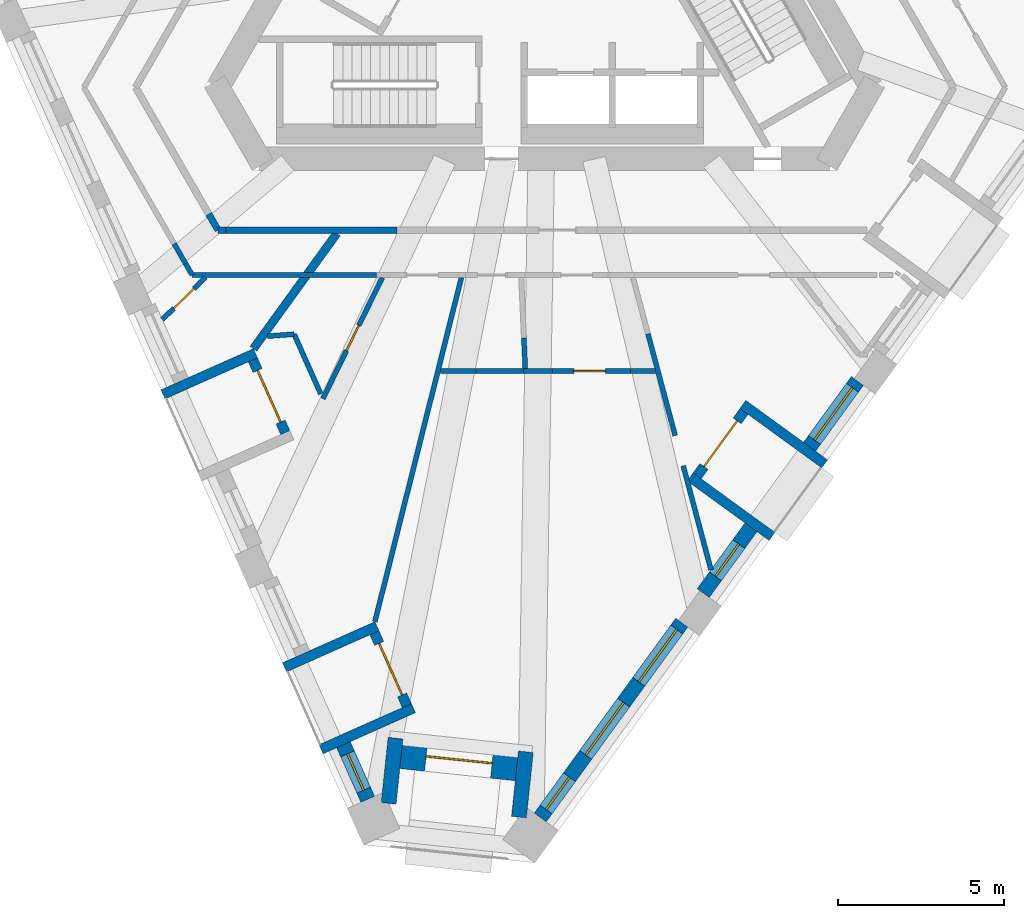
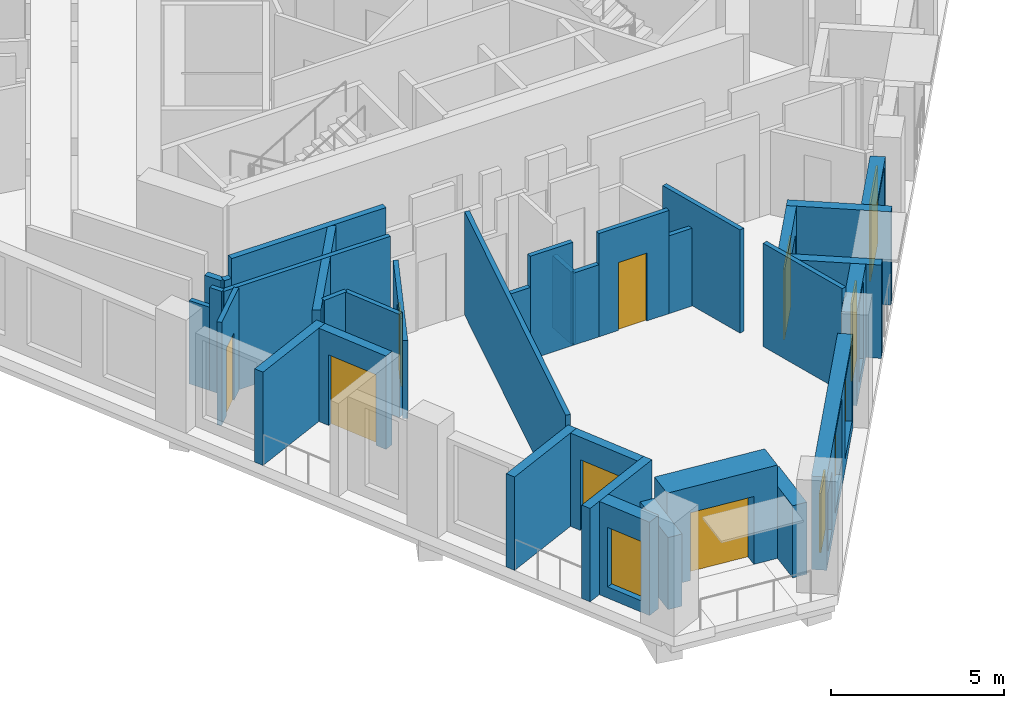
# One storey, part 2 of 11: 35 walls, 7 doors, 6 windows, 13 openings.
"""IFC4 building model written with IfcOpenShell, lengths in metres."""

from ifc_helpers import new_model, si_unit, direction, frame, frame_2d, origin, place, context, subcontext, project, spatial, rectangle, extrude, material, layer, layer_set, type_object, element, fill, save


model = new_model("IFC4")

# Units and contexts
model_context = context("Model", 3, precision=1e-05, world=origin(), true_north=direction((0.0, 1.0)))
body_context = subcontext(model_context, "Body", "Model", "MODEL_VIEW")
ifc_project = project(units=[si_unit("LENGTHUNIT", "METRE"), si_unit("AREAUNIT", "SQUARE_METRE"), si_unit("VOLUMEUNIT", "CUBIC_METRE"), si_unit("PLANEANGLEUNIT", "RADIAN"), si_unit("MASSUNIT", "GRAM", prefix="KILO")], contexts=[model_context])

# Site, building, storey
site_placement = place(None, origin())
site = spatial("IfcSite", under=ifc_project, at=site_placement, CompositionType="ELEMENT")
building_placement = place(site_placement, origin())
building = spatial("IfcBuilding", under=site, at=building_placement, Name="Tramontana Tower", CompositionType="ELEMENT")
storey_placement = place(building_placement, frame((0.0, 0.0, 253.199951171875)))
storey = spatial("IfcBuildingStorey", under=building, at=storey_placement, Name="L59", CompositionType="ELEMENT", Elevation=253.199951171875)

# Walls
ifc_material_1 = material(Name="Blockwork", Category="masonry")
ifc_layer_1 = layer(ifc_material_1, 0.199951171875)
ifc_layer_set_1 = layer_set([ifc_layer_1], Name="ENTRY WALL 200")
wall_type_1 = type_object("IfcWallType", Name="ENTRY WALL 200", PredefinedType="SOLIDWALL", material=ifc_layer_set_1)
wall_1_placement = place(storey_placement, frame((-4.447998046875, -8.550048828125, 0.0), z_axis=(0.0, 0.0, 1.0), x_axis=(-1.0, 0.0, 0.0)))
element("IfcWall", 1, at=wall_1_placement, inside=storey, type_object=wall_type_1, Name="Wall v61-ew1-10", PredefinedType="SOLIDWALL", context=body_context, shape_type="SweptSolid", body=[
    extrude(rectangle(XDim=5.161376953125, YDim=0.199951171875, at=frame_2d((2.58056640625, 0.0))), origin(), (0.0, 0.0, 1.0), 3.650146484375),
])
wall_2_placement = place(storey_placement, frame((-9.609375, -8.550048828125, 0.0), z_axis=(0.0, 0.0, 1.0), x_axis=(-1.0, 0.0, 0.0)))
element("IfcWall", 2, at=wall_2_placement, inside=storey, type_object=wall_type_1, Name="Wall v61-ew1-11", PredefinedType="SOLIDWALL", context=body_context, shape_type="SweptSolid", body=[
    extrude(rectangle(XDim=0.234375, YDim=0.199951171875, at=frame_2d((0.1171875, 0.0))), origin(), (0.0, 0.0, 1.0), 2.949951171875),
])
wall_3_placement = place(storey_placement, frame((-9.84375, -8.550048828125, 0.0), z_axis=(0.0, 0.0, 1.0), x_axis=(-0.500000383388, 0.866025182435, 0.0)))
element("IfcWall", 3, at=wall_3_placement, inside=storey, type_object=wall_type_1, Name="Wall v61-ew2-0", PredefinedType="SOLIDWALL", context=body_context, shape_type="SweptSolid", body=[
    extrude(rectangle(XDim=0.5576171875, YDim=0.199951171875, at=frame_2d((0.27880859375, 0.0))), origin(), (0.0, 0.0, 1.0), 2.949951171875),
])

# Wall, opening, window
ifc_material_2 = material(Name="Precast concrete 60 MPa", Category="concrete")
ifc_layer_2 = layer(ifc_material_2, 0.449951171875)
ifc_layer_set_2 = layer_set([ifc_layer_2], Name="Precast concrete 60 MPa, 450 mm")
wall_type_2 = type_object("IfcWallType", Name="EW1 Stone-faced precast wall 450", PredefinedType="SOLIDWALL", material=ifc_layer_set_2)
wall_4_placement = place(storey_placement, frame((-6.062744140625, -24.060546875, 0.0), z_axis=(0.0, 0.0, 1.0), x_axis=(0.406666293293, -0.913576776138, 0.0)))
wall_4 = element("IfcWall", 4, at=wall_4_placement, inside=storey, type_object=wall_type_2, Name="External wall L59 face 0 bay 5", PredefinedType="SOLIDWALL", context=body_context, shape_type="SweptSolid", body=[
    extrude(rectangle(XDim=1.80224609375, YDim=0.449951171875, at=frame_2d((0.901123046875, 0.0))), origin(), (0.0, 0.0, 1.0), 3.300048828125),
])
opening_1_placement = place(wall_4_placement, frame((0.301025390625, 0.0, 0.39990234375)))
opening_1 = element("IfcOpeningElement", 5, at=opening_1_placement, cuts=wall_4, Name="Opening N3L", PredefinedType="OPENING", context=body_context, shape_type="SweptSolid", body=[
    extrude(rectangle(XDim=1.199951171875, YDim=2.10009765625, at=frame_2d((0.60009765625, 1.050048828125))), frame((0.0, 0.23486328125, 0.0), z_axis=(0.0, -1.0, 0.0), x_axis=(1.0, 0.0, 0.0)), (0.0, 0.0, 1.0), 0.469970703125),
])
ifc_material_3 = material(Name="Aluminum frame, double glazing unit", Category="aluminium")
window_type_1 = type_object("IfcWindowType", Name="N3L Window 1.2 x 2.1", PartitioningType="SINGLE_PANEL", PredefinedType="WINDOW", material=ifc_material_3)
window_1_placement = place(opening_1_placement, origin())
window_1 = element("IfcWindow", 6, at=window_1_placement, inside=storey, type_object=window_type_1, Name="Window N3L L59 face 0 module 15", OverallHeight=2.10009765625, OverallWidth=1.199951171875, PartitioningType="SINGLE_PANEL", PredefinedType="WINDOW", context=body_context, shape_type="SweptSolid", body=[
    extrude(rectangle(XDim=1.199951171875, YDim=2.10009765625, at=frame_2d((0.60009765625, 1.050048828125))), frame((0.0, 0.030029296875, 0.0), z_axis=(0.0, -1.0, 0.0), x_axis=(1.0, 0.0, 0.0)), (0.0, 0.0, 1.0), 0.06005859375),
])
fill(opening_1, window_1)

# Wall, openings, windows
wall_5_placement = place(storey_placement, frame((-0.13134765625, -26.25341796875, 0.0), z_axis=(0.0, 0.0, 1.0), x_axis=(0.587781549195, 0.80901968482, 0.0)))
wall_5 = element("IfcWall", 7, at=wall_5_placement, inside=storey, type_object=wall_type_2, Name="External wall L59 face 1 bay 1", PredefinedType="SOLIDWALL", context=body_context, shape_type="SweptSolid", body=[
    extrude(rectangle(XDim=7.2568359375, YDim=0.449951171875, at=frame_2d((3.62841796875, 0.0))), origin(), (0.0, 0.0, 1.0), 3.300048828125),
])
opening_2_placement = place(wall_5_placement, frame((0.301025390625, 0.0, 0.39990234375)))
opening_2 = element("IfcOpeningElement", 8, at=opening_2_placement, cuts=wall_5, Name="Opening N3L", PredefinedType="OPENING", context=body_context, shape_type="SweptSolid", body=[
    extrude(rectangle(XDim=1.199951171875, YDim=2.10009765625, at=frame_2d((0.60009765625, 1.050048828125))), frame((0.0, 0.23486328125, 0.0), z_axis=(0.0, -1.0, 0.0), x_axis=(1.0, 0.0, 0.0)), (0.0, 0.0, 1.0), 0.469970703125),
])
opening_3_placement = place(wall_5_placement, frame((2.328369140625, 0.0, 0.39990234375)))
opening_3 = element("IfcOpeningElement", 9, at=opening_3_placement, cuts=wall_5, Name="Opening M3", PredefinedType="OPENING", context=body_context, shape_type="SweptSolid", body=[
    extrude(rectangle(XDim=1.949951171875, YDim=2.75, at=frame_2d((0.97509765625, 1.375))), frame((0.0, 0.23486328125, 0.0), z_axis=(0.0, -1.0, 0.0), x_axis=(1.0, 0.0, 0.0)), (0.0, 0.0, 1.0), 0.469970703125),
])
opening_4_placement = place(wall_5_placement, frame((5.0556640625, 0.0, 0.39990234375)))
opening_4 = element("IfcOpeningElement", 10, at=opening_4_placement, cuts=wall_5, Name="Opening M3", PredefinedType="OPENING", context=body_context, shape_type="SweptSolid", body=[
    extrude(rectangle(XDim=1.949951171875, YDim=2.75, at=frame_2d((0.97509765625, 1.375))), frame((0.0, 0.23486328125, 0.0), z_axis=(0.0, -1.0, 0.0), x_axis=(1.0, 0.0, 0.0)), (0.0, 0.0, 1.0), 0.469970703125),
])
ifc_material_4 = material(Name="Aluminum frame, double glazing unit", Category="aluminium")
window_type_2 = type_object("IfcWindowType", Name="M3 Window 1.95 x 2.75", PartitioningType="SINGLE_PANEL", PredefinedType="WINDOW", material=ifc_material_4)
window_2_placement = place(opening_3_placement, origin())
window_2 = element("IfcWindow", 11, at=window_2_placement, inside=storey, type_object=window_type_2, Name="Window M3 L59 face 1 module 2", OverallHeight=2.75, OverallWidth=1.949951171875, PartitioningType="SINGLE_PANEL", PredefinedType="WINDOW", context=body_context, shape_type="SweptSolid", body=[
    extrude(rectangle(XDim=1.949951171875, YDim=2.75, at=frame_2d((0.97509765625, 1.375))), frame((0.0, 0.030029296875, 0.0), z_axis=(0.0, -1.0, 0.0), x_axis=(1.0, 0.0, 0.0)), (0.0, 0.0, 1.0), 0.06005859375),
])
fill(opening_3, window_2)
window_3_placement = place(opening_4_placement, origin())
window_3 = element("IfcWindow", 12, at=window_3_placement, inside=storey, type_object=window_type_2, Name="Window M3 L59 face 1 module 3", OverallHeight=2.75, OverallWidth=1.949951171875, PartitioningType="SINGLE_PANEL", PredefinedType="WINDOW", context=body_context, shape_type="SweptSolid", body=[
    extrude(rectangle(XDim=1.949951171875, YDim=2.75, at=frame_2d((0.97509765625, 1.375))), frame((0.0, 0.030029296875, 0.0), z_axis=(0.0, -1.0, 0.0), x_axis=(1.0, 0.0, 0.0)), (0.0, 0.0, 1.0), 0.06005859375),
])
fill(opening_4, window_3)
window_4_placement = place(opening_2_placement, origin())
window_4 = element("IfcWindow", 13, at=window_4_placement, inside=storey, type_object=window_type_1, Name="Window N3L L59 face 1 module 1", OverallHeight=2.10009765625, OverallWidth=1.199951171875, PartitioningType="SINGLE_PANEL", PredefinedType="WINDOW", context=body_context, shape_type="SweptSolid", body=[
    extrude(rectangle(XDim=1.199951171875, YDim=2.10009765625, at=frame_2d((0.60009765625, 1.050048828125))), frame((0.0, 0.030029296875, 0.0), z_axis=(0.0, -1.0, 0.0), x_axis=(1.0, 0.0, 0.0)), (0.0, 0.0, 1.0), 0.06005859375),
])
fill(opening_2, window_4)

# Wall, opening, window
wall_6_placement = place(storey_placement, frame((4.780517578125, -19.49267578125, 0.0), z_axis=(0.0, 0.0, 1.0), x_axis=(0.587792773076, 0.809011530152, 0.0)))
wall_6 = element("IfcWall", 14, at=wall_6_placement, inside=storey, type_object=wall_type_2, Name="External wall L59 face 1 bay 2", PredefinedType="SOLIDWALL", context=body_context, shape_type="SweptSolid", body=[
    extrude(rectangle(XDim=2.4521484375, YDim=0.449951171875, at=frame_2d((1.22607421875, 0.0))), origin(), (0.0, 0.0, 1.0), 3.300048828125),
])
opening_5_placement = place(wall_6_placement, frame((0.626220703125, 0.0, 0.39990234375)))
opening_5 = element("IfcOpeningElement", 15, at=opening_5_placement, cuts=wall_6, Name="Opening N3", PredefinedType="OPENING", context=body_context, shape_type="SweptSolid", body=[
    extrude(rectangle(XDim=1.199951171875, YDim=2.75, at=frame_2d((0.60009765625, 1.375))), frame((0.0, 0.23486328125, 0.0), z_axis=(0.0, -1.0, 0.0), x_axis=(1.0, 0.0, 0.0)), (0.0, 0.0, 1.0), 0.469970703125),
])
ifc_material_5 = material(Name="Aluminum frame, double glazing unit", Category="aluminium")
window_type_3 = type_object("IfcWindowType", Name="N3 Window 1.2 x 2.75", PartitioningType="SINGLE_PANEL", PredefinedType="WINDOW", material=ifc_material_5)
window_5_placement = place(opening_5_placement, origin())
window_5 = element("IfcWindow", 16, at=window_5_placement, inside=storey, type_object=window_type_3, Name="Window N3 L59 face 1 module 4", OverallHeight=2.75, OverallWidth=1.199951171875, PartitioningType="SINGLE_PANEL", PredefinedType="WINDOW", context=body_context, shape_type="SweptSolid", body=[
    extrude(rectangle(XDim=1.199951171875, YDim=2.75, at=frame_2d((0.60009765625, 1.375))), frame((0.0, 0.030029296875, 0.0), z_axis=(0.0, -1.0, 0.0), x_axis=(1.0, 0.0, 0.0)), (0.0, 0.0, 1.0), 0.06005859375),
])
fill(opening_5, window_5)

wall_7_placement = place(storey_placement, frame((7.986572265625, -15.079833984375, 0.0), z_axis=(0.0, 0.0, 1.0), x_axis=(0.587792773076, 0.809011530152, 0.0)))
wall_7 = element("IfcWall", 17, at=wall_7_placement, inside=storey, type_object=wall_type_2, Name="External wall L59 face 1 bay 2", PredefinedType="SOLIDWALL", context=body_context, shape_type="SweptSolid", body=[
    extrude(rectangle(XDim=2.4521484375, YDim=0.449951171875, at=frame_2d((1.22607421875, 0.0))), origin(), (0.0, 0.0, 1.0), 3.300048828125),
])
opening_6_placement = place(wall_7_placement, frame((0.251220703125, 0.0, 0.39990234375)))
opening_6 = element("IfcOpeningElement", 18, at=opening_6_placement, cuts=wall_7, Name="Opening M3", PredefinedType="OPENING", context=body_context, shape_type="SweptSolid", body=[
    extrude(rectangle(XDim=1.949951171875, YDim=2.75, at=frame_2d((0.97509765625, 1.375))), frame((0.0, 0.23486328125, 0.0), z_axis=(0.0, -1.0, 0.0), x_axis=(1.0, 0.0, 0.0)), (0.0, 0.0, 1.0), 0.469970703125),
])
window_6_placement = place(opening_6_placement, origin())
window_6 = element("IfcWindow", 19, at=window_6_placement, inside=storey, type_object=window_type_2, Name="Window M3 L59 face 1 module 6", OverallHeight=2.75, OverallWidth=1.949951171875, PartitioningType="SINGLE_PANEL", PredefinedType="WINDOW", context=body_context, shape_type="SweptSolid", body=[
    extrude(rectangle(XDim=1.949951171875, YDim=2.75, at=frame_2d((0.97509765625, 1.375))), frame((0.0, 0.030029296875, 0.0), z_axis=(0.0, -1.0, 0.0), x_axis=(1.0, 0.0, 0.0)), (0.0, 0.0, 1.0), 0.06005859375),
])
fill(opening_6, window_6)

# Walls
for number, where, z_axis, x_axis, name in (
    (20, (-0.772216796875, -26.2421875, 0.0), (0.0, 0.0, 1.0), (0.104485716945, 0.994526387259, 0.0), "Corner loggia side wall L59 K61l"),
    (21, (-4.70068359375, -25.829345703125, 0.0), (0.0, 0.0, 1.0), (0.104607727594, 0.994513561158, 0.0), "Corner loggia side wall L59 K61r"),
):
    element("IfcWall", number, at=place(storey_placement, frame(where, z_axis=z_axis, x_axis=x_axis)), inside=storey, type_object=wall_type_2, Name=name, PredefinedType="SOLIDWALL", context=body_context, shape_type="SweptSolid", body=[
        extrude(rectangle(XDim=1.97900390625, YDim=0.449951171875, at=frame_2d((0.989501953125, 0.0))), origin(), (0.0, 0.0, 1.0), 2.550048828125),
    ])

# Wall, opening, door
ifc_material_6 = material(Name="Precast concrete 60 MPa", Category="concrete")
ifc_layer_3 = layer(ifc_material_6, 0.89990234375)
ifc_layer_set_3 = layer_set([ifc_layer_3], Name="EW2 Stone-faced corner loggia wall 900")
wall_type_3 = type_object("IfcWallType", Name="EW2 Stone-faced corner loggia wall 900", PredefinedType="SOLIDWALL", material=ifc_layer_set_3)
wall_8_placement = place(storey_placement, frame((-0.836181640625, -24.697998046875, 0.0), z_axis=(0.0, 0.0, 1.0), x_axis=(-0.994518821828, 0.104557701916, 0.0)))
wall_8 = element("IfcWall", 22, at=wall_8_placement, inside=storey, type_object=wall_type_3, Name="Corner loggia wall L59 K61", PredefinedType="SOLIDWALL", context=body_context, shape_type="SweptSolid", body=[
    extrude(rectangle(XDim=3.500244140625, YDim=0.89990234375, at=frame_2d((1.75, 0.0))), origin(), (0.0, 0.0, 1.0), 3.300048828125),
])
opening_7_placement = place(wall_8_placement, frame((0.75, 0.0, 0.0)))
opening_7 = element("IfcOpeningElement", 23, at=opening_7_placement, cuts=wall_8, Name="Opening BD-61C", PredefinedType="OPENING", context=body_context, shape_type="SweptSolid", body=[
    extrude(rectangle(XDim=2.0, YDim=2.39990234375, at=frame_2d((1.0, 1.199951171875))), frame((0.0, 0.4599609375, 0.0), z_axis=(0.0, -1.0, 0.0), x_axis=(1.0, 0.0, 0.0)), (0.0, 0.0, 1.0), 0.919921875),
])
ifc_material_7 = material(Name="Aluminum frame, double glazing unit", Category="aluminium")
door_type_1 = type_object("IfcDoorType", Name="BC1 Sliding door 2 x 2.4", OperationType="SLIDING_TO_LEFT", PredefinedType="DOOR", material=ifc_material_7)
door_1_placement = place(opening_7_placement, origin())
door_1 = element("IfcDoor", 24, at=door_1_placement, inside=storey, type_object=door_type_1, Name="Corner loggia door L59 K61", OperationType="SLIDING_TO_LEFT", OverallHeight=2.39990234375, OverallWidth=2.0, PredefinedType="DOOR", context=body_context, shape_type="SweptSolid", body=[
    extrude(rectangle(XDim=2.0, YDim=2.39990234375, at=frame_2d((1.0, 1.199951171875))), frame((0.0, 0.02490234375, 0.0), z_axis=(0.0, -1.0, 0.0), x_axis=(1.0, 0.0, 0.0)), (0.0, 0.0, 1.0), 0.050048828125),
])
fill(opening_7, door_1)

ifc_material_8 = material(Name="Precast concrete 60 MPa", Category="concrete")
ifc_layer_4 = layer(ifc_material_8, 0.300048828125)
ifc_layer_set_4 = layer_set([ifc_layer_4], Name="LW1 Stone-faced loggia wall 300")
wall_type_4 = type_object("IfcWallType", Name="LW1 Stone-faced loggia wall 300", PredefinedType="SOLIDWALL", material=ifc_layer_set_4)
wall_9_placement = place(storey_placement, frame((-8.792724609375, -12.458984375, 0.0), z_axis=(0.0, 0.0, 1.0), x_axis=(0.406723017018, -0.913551524232, 0.0)))
wall_9 = element("IfcWall", 25, at=wall_9_placement, inside=storey, type_object=wall_type_4, Name="Loggia wall L59 G6S0.10", PredefinedType="SOLIDWALL", context=body_context, shape_type="SweptSolid", body=[
    extrude(rectangle(XDim=2.40234375, YDim=0.300048828125, at=frame_2d((1.201171875, 0.0))), origin(), (0.0, 0.0, 1.0), 3.300048828125),
])
opening_8_placement = place(wall_9_placement, frame((0.35107421875, 0.0, 0.0)))
opening_8 = element("IfcOpeningElement", 26, at=opening_8_placement, cuts=wall_9, Name="Opening BD-6S0-10", PredefinedType="OPENING", context=body_context, shape_type="SweptSolid", body=[
    extrude(rectangle(XDim=1.699951171875, YDim=2.5, at=frame_2d((0.85009765625, 1.25))), frame((0.0, 0.159912109375, 0.0), z_axis=(0.0, -1.0, 0.0), x_axis=(1.0, 0.0, 0.0)), (0.0, 0.0, 1.0), 0.320068359375),
])
ifc_material_9 = material(Name="Aluminum frame, double glazing unit", Category="aluminium")
door_type_2 = type_object("IfcDoorType", Name="BD3 Sliding door 1.7 x 2.5", OperationType="SLIDING_TO_LEFT", PredefinedType="DOOR", material=ifc_material_9)
door_2_placement = place(opening_8_placement, origin())
door_2 = element("IfcDoor", 27, at=door_2_placement, inside=storey, type_object=door_type_2, Name="Loggia door L59 G6S0.10", OperationType="SLIDING_TO_LEFT", OverallHeight=2.5, OverallWidth=1.699951171875, PredefinedType="DOOR", context=body_context, shape_type="SweptSolid", body=[
    extrude(rectangle(XDim=1.699951171875, YDim=2.5, at=frame_2d((0.85009765625, 1.25))), frame((0.0, 0.02490234375, 0.0), z_axis=(0.0, -1.0, 0.0), x_axis=(1.0, 0.0, 0.0)), (0.0, 0.0, 1.0), 0.050048828125),
])
fill(opening_8, door_2)

# Wall
wall_10_placement = place(storey_placement, frame((-11.5029296875, -13.50146484375, 0.0), z_axis=(0.0, 0.0, 1.0), x_axis=(0.913557205168, 0.406710256677, 0.0)))
element("IfcWall", 28, at=wall_10_placement, inside=storey, type_object=wall_type_4, Name="Loggia return L59 G6S0.10a", PredefinedType="SOLIDWALL", context=body_context, shape_type="SweptSolid", body=[
    extrude(rectangle(XDim=3.050048828125, YDim=0.300048828125, at=frame_2d((1.52490234375, 0.0))), origin(), (0.0, 0.0, 1.0), 3.300048828125),
])

# Wall, opening, door
wall_11_placement = place(storey_placement, frame((-5.12939453125, -20.68701171875, 0.0), z_axis=(0.0, 0.0, 1.0), x_axis=(0.406723017018, -0.913551524232, 0.0)))
wall_11 = element("IfcWall", 29, at=wall_11_placement, inside=storey, type_object=wall_type_4, Name="Loggia wall L59 G6S0.13", PredefinedType="SOLIDWALL", context=body_context, shape_type="SweptSolid", body=[
    extrude(rectangle(XDim=2.40234375, YDim=0.300048828125, at=frame_2d((1.201171875, 0.0))), origin(), (0.0, 0.0, 1.0), 3.300048828125),
])
opening_9_placement = place(wall_11_placement, frame((0.35107421875, 0.0, 0.0)))
opening_9 = element("IfcOpeningElement", 30, at=opening_9_placement, cuts=wall_11, Name="Opening BD-6S0-13", PredefinedType="OPENING", context=body_context, shape_type="SweptSolid", body=[
    extrude(rectangle(XDim=1.699951171875, YDim=2.5, at=frame_2d((0.85009765625, 1.25))), frame((0.0, 0.159912109375, 0.0), z_axis=(0.0, -1.0, 0.0), x_axis=(1.0, 0.0, 0.0)), (0.0, 0.0, 1.0), 0.320068359375),
])
door_3_placement = place(opening_9_placement, origin())
door_3 = element("IfcDoor", 31, at=door_3_placement, inside=storey, type_object=door_type_2, Name="Loggia door L59 G6S0.13", OperationType="SLIDING_TO_LEFT", OverallHeight=2.5, OverallWidth=1.699951171875, PredefinedType="DOOR", context=body_context, shape_type="SweptSolid", body=[
    extrude(rectangle(XDim=1.699951171875, YDim=2.5, at=frame_2d((0.85009765625, 1.25))), frame((0.0, 0.02490234375, 0.0), z_axis=(0.0, -1.0, 0.0), x_axis=(1.0, 0.0, 0.0)), (0.0, 0.0, 1.0), 0.050048828125),
])
fill(opening_9, door_3)

# Walls
for number, where, z_axis, x_axis, name in (
    (32, (-7.839599609375, -21.7294921875, 0.0), (0.0, 0.0, 1.0), (0.913557205168, 0.406710256677, 0.0), "Loggia return L59 G6S0.13a"),
    (33, (-6.740478515625, -24.197998046875, 0.0), (0.0, 0.0, 1.0), (0.913557205168, 0.406710256677, 0.0), "Loggia return L59 G6S0.13b"),
):
    element("IfcWall", number, at=place(storey_placement, frame(where, z_axis=z_axis, x_axis=x_axis)), inside=storey, type_object=wall_type_4, Name=name, PredefinedType="SOLIDWALL", context=body_context, shape_type="SweptSolid", body=[
        extrude(rectangle(XDim=3.050048828125, YDim=0.300048828125, at=frame_2d((1.52490234375, 0.0))), origin(), (0.0, 0.0, 1.0), 3.300048828125),
    ])

# Wall, opening, door
wall_12_placement = place(storey_placement, frame((4.59814453125, -15.958251953125, 0.0), z_axis=(0.0, 0.0, 1.0), x_axis=(0.587833242688, 0.808982125137, 0.0)))
wall_12 = element("IfcWall", 34, at=wall_12_placement, inside=storey, type_object=wall_type_4, Name="Loggia wall L59 G6S1.4", PredefinedType="SOLIDWALL", context=body_context, shape_type="SweptSolid", body=[
    extrude(rectangle(XDim=2.40234375, YDim=0.300048828125, at=frame_2d((1.201171875, 0.0))), origin(), (0.0, 0.0, 1.0), 3.300048828125),
])
opening_10_placement = place(wall_12_placement, frame((0.35107421875, 0.0, 0.0)))
opening_10 = element("IfcOpeningElement", 35, at=opening_10_placement, cuts=wall_12, Name="Opening BD-6S1-04", PredefinedType="OPENING", context=body_context, shape_type="SweptSolid", body=[
    extrude(rectangle(XDim=1.699951171875, YDim=2.5, at=frame_2d((0.85009765625, 1.25))), frame((0.0, 0.159912109375, 0.0), z_axis=(0.0, -1.0, 0.0), x_axis=(1.0, 0.0, 0.0)), (0.0, 0.0, 1.0), 0.320068359375),
])
door_4_placement = place(opening_10_placement, origin())
door_4 = element("IfcDoor", 36, at=door_4_placement, inside=storey, type_object=door_type_2, Name="Loggia door L59 G6S1.4", OperationType="SLIDING_TO_LEFT", OverallHeight=2.5, OverallWidth=1.699951171875, PredefinedType="DOOR", context=body_context, shape_type="SweptSolid", body=[
    extrude(rectangle(XDim=1.699951171875, YDim=2.5, at=frame_2d((0.85009765625, 1.25))), frame((0.0, 0.02490234375, 0.0), z_axis=(0.0, -1.0, 0.0), x_axis=(1.0, 0.0, 0.0)), (0.0, 0.0, 1.0), 0.050048828125),
])
fill(opening_10, door_4)

# Walls
for number, where, z_axis, x_axis, name in (
    (37, (6.856201171875, -17.7841796875, 0.0), (0.0, 0.0, 1.0), (-0.80902328748, 0.587776590479, 0.0), "Loggia return L59 G6S1.4a"),
    (38, (8.4443359375, -15.59814453125, 0.0), (0.0, 0.0, 1.0), (-0.808957563125, 0.587867043696, 0.0), "Loggia return L59 G6S1.4b"),
):
    element("IfcWall", number, at=place(storey_placement, frame(where, z_axis=z_axis, x_axis=x_axis)), inside=storey, type_object=wall_type_4, Name=name, PredefinedType="SOLIDWALL", context=body_context, shape_type="SweptSolid", body=[
        extrude(rectangle(XDim=3.050048828125, YDim=0.300048828125, at=frame_2d((1.52490234375, 0.0))), origin(), (0.0, 0.0, 1.0), 3.300048828125),
    ])

# Wall, opening, door
ifc_material_10 = material(Name="Gypsum board partition")
ifc_layer_5 = layer(ifc_material_10, 0.14990234375)
ifc_layer_set_5 = layer_set([ifc_layer_5], Name="PARTITION 150")
wall_type_5 = type_object("IfcWallType", Name="PARTITION 150", PredefinedType="PARTITIONING", material=ifc_layer_set_5)
wall_13_placement = place(storey_placement, frame((-10.22119140625, -9.97509765625, 0.0), z_axis=(0.0, 0.0, 1.0), x_axis=(-0.715714825307, -0.698392646608, 0.0)))
wall_13 = element("IfcWall", 39, at=wall_13_placement, inside=storey, type_object=wall_type_5, Name="Wall v61-pw03", PredefinedType="PARTITIONING", context=body_context, shape_type="SweptSolid", body=[
    extrude(rectangle(XDim=1.818115234375, YDim=0.14990234375, at=frame_2d((0.9091796875, 0.0))), origin(), (0.0, 0.0, 1.0), 3.650146484375),
])
opening_11_placement = place(wall_13_placement, frame((0.484130859375, 0.0, 0.0)))
opening_11 = element("IfcOpeningElement", 40, at=opening_11_placement, cuts=wall_13, Name="Opening B6B-07", PredefinedType="OPENING", context=body_context, shape_type="SweptSolid", body=[
    extrude(rectangle(XDim=0.85009765625, YDim=2.39990234375, at=frame_2d((0.425048828125, 1.199951171875))), frame((0.0, 0.0849609375, 0.0), z_axis=(0.0, -1.0, 0.0), x_axis=(1.0, 0.0, 0.0)), (0.0, 0.0, 1.0), 0.169921875),
])
ifc_material_11 = material(Name="Painted timber", Category="wood")
door_type_3 = type_object("IfcDoorType", Name="DOOR BATH 850", OperationType="SINGLE_SWING_LEFT", PredefinedType="DOOR", material=ifc_material_11)
door_5_placement = place(opening_11_placement, origin())
door_5 = element("IfcDoor", 41, at=door_5_placement, inside=storey, type_object=door_type_3, Name="Door B6B-07", OperationType="SINGLE_SWING_LEFT", OverallHeight=2.39990234375, OverallWidth=0.85009765625, PredefinedType="DOOR", context=body_context, shape_type="SweptSolid", body=[
    extrude(rectangle(XDim=0.85009765625, YDim=2.39990234375, at=frame_2d((0.425048828125, 1.199951171875))), frame((0.0, 0.02490234375, 0.0), z_axis=(0.0, -1.0, 0.0), x_axis=(1.0, 0.0, 0.0)), (0.0, 0.0, 1.0), 0.050048828125),
])
fill(opening_11, door_5)

# Walls
wall_14_placement = place(storey_placement, frame((-10.623291015625, -9.89990234375, 0.0), z_axis=(0.0, 0.0, 1.0), x_axis=(-0.499899443193, 0.866083452501, 0.0)))
element("IfcWall", 42, at=wall_14_placement, inside=storey, type_object=wall_type_5, Name="Wall v61-pw05-0", PredefinedType="PARTITIONING", context=body_context, shape_type="SweptSolid", body=[
    extrude(rectangle(XDim=0.39794921875, YDim=0.14990234375, at=frame_2d((0.198974609375, 0.0))), origin(), (0.0, 0.0, 1.0), 3.650146484375),
])
wall_15_placement = place(storey_placement, frame((-10.822265625, -9.55517578125, 0.0), z_axis=(0.0, 0.0, 1.0), x_axis=(-0.499969057507, 0.866043267704, 0.0)))
element("IfcWall", 43, at=wall_15_placement, inside=storey, type_object=wall_type_5, Name="Wall v61-pw05-1", PredefinedType="PARTITIONING", context=body_context, shape_type="SweptSolid", body=[
    extrude(rectangle(XDim=0.685546875, YDim=0.14990234375, at=frame_2d((0.3427734375, 0.0))), origin(), (0.0, 0.0, 1.0), 2.949951171875),
])
wall_16_placement = place(storey_placement, frame((-7.55029296875, -11.686767578125, 0.0), z_axis=(0.0, 0.0, 1.0), x_axis=(-0.997150320781, -0.075440292725, 0.0)))
element("IfcWall", 44, at=wall_16_placement, inside=storey, type_object=wall_type_5, Name="Wall v61-pw10", PredefinedType="PARTITIONING", context=body_context, shape_type="SweptSolid", body=[
    extrude(rectangle(XDim=0.802490234375, YDim=0.14990234375, at=frame_2d((0.4013671875, 0.0))), origin(), (0.0, 0.0, 1.0), 3.650146484375),
])
wall_17_placement = place(storey_placement, frame((-6.74755859375, -13.48681640625, 0.0), z_axis=(0.0, 0.0, 1.0), x_axis=(-0.406690599402, 0.913565956217, 0.0)))
element("IfcWall", 45, at=wall_17_placement, inside=storey, type_object=wall_type_5, Name="Wall v61-pw11-1", PredefinedType="PARTITIONING", context=body_context, shape_type="SweptSolid", body=[
    extrude(rectangle(XDim=1.968994140625, YDim=0.14990234375, at=frame_2d((0.984375, 0.0))), origin(), (0.0, 0.0, 1.0), 3.650146484375),
])
wall_18_placement = place(storey_placement, frame((-5.1142578125, -20.351806640625, 0.0), z_axis=(0.0, 0.0, 1.0), x_axis=(0.243721993926, 0.969845136956, 0.0)))
element("IfcWall", 46, at=wall_18_placement, inside=storey, type_object=wall_type_5, Name="Wall v61-pw13", PredefinedType="PARTITIONING", context=body_context, shape_type="SweptSolid", body=[
    extrude(rectangle(XDim=10.699462890625, YDim=0.14990234375, at=frame_2d((5.349609375, 0.0))), origin(), (0.0, 0.0, 1.0), 3.650146484375),
])

# Wall, opening, door
wall_19_placement = place(storey_placement, frame((-6.68212890625, -13.6337890625, 0.0), z_axis=(0.0, 0.0, 1.0), x_axis=(0.440105116834, 0.897946260161, 0.0)))
wall_19 = element("IfcWall", 47, at=wall_19_placement, inside=storey, type_object=wall_type_5, Name="Wall v61-pw14-0", PredefinedType="PARTITIONING", context=body_context, shape_type="SweptSolid", body=[
    extrude(rectangle(XDim=4.074462890625, YDim=0.14990234375, at=frame_2d((2.037109375, 0.0))), origin(), (0.0, 0.0, 1.0), 2.75),
])
opening_12_placement = place(wall_19_placement, frame((1.6123046875, 0.0, 0.0)))
opening_12 = element("IfcOpeningElement", 48, at=opening_12_placement, cuts=wall_19, Name="Opening B6B-12", PredefinedType="OPENING", context=body_context, shape_type="SweptSolid", body=[
    extrude(rectangle(XDim=0.85009765625, YDim=2.39990234375, at=frame_2d((0.425048828125, 1.199951171875))), frame((0.0, 0.0849609375, 0.0), z_axis=(0.0, -1.0, 0.0), x_axis=(1.0, 0.0, 0.0)), (0.0, 0.0, 1.0), 0.169921875),
])
door_6_placement = place(opening_12_placement, origin())
door_6 = element("IfcDoor", 49, at=door_6_placement, inside=storey, type_object=door_type_3, Name="Door B6B-12", OperationType="SINGLE_SWING_RIGHT", OverallHeight=2.39990234375, OverallWidth=0.85009765625, PredefinedType="DOOR", context=body_context, shape_type="SweptSolid", body=[
    extrude(rectangle(XDim=0.85009765625, YDim=2.39990234375, at=frame_2d((0.425048828125, 1.199951171875))), frame((0.0, 0.02490234375, 0.0), z_axis=(0.0, -1.0, 0.0), x_axis=(1.0, 0.0, 0.0)), (0.0, 0.0, 1.0), 0.050048828125),
])
fill(opening_12, door_6)

# Walls
wall_20_placement = place(storey_placement, frame((-0.57958984375, -12.7978515625, 0.0), z_axis=(0.0, 0.0, 1.0), x_axis=(-0.044324993646, 0.999017164486, 0.0)))
element("IfcWall", 50, at=wall_20_placement, inside=storey, type_object=wall_type_5, Name="Wall v61-pw17-0", PredefinedType="PARTITIONING", context=body_context, shape_type="SweptSolid", body=[
    extrude(rectangle(XDim=1.00244140625, YDim=0.14990234375, at=frame_2d((0.501220703125, 0.0))), origin(), (0.0, 0.0, 1.0), 2.550048828125),
])
wall_21_placement = place(storey_placement, frame((3.116943359375, -11.678466796875, 0.0), z_axis=(0.0, 0.0, 1.0), x_axis=(0.257839841258, -0.966187671345, 0.0)))
element("IfcWall", 51, at=wall_21_placement, inside=storey, type_object=wall_type_5, Name="Wall v61-pw18-1", PredefinedType="PARTITIONING", context=body_context, shape_type="SweptSolid", body=[
    extrude(rectangle(XDim=3.1728515625, YDim=0.14990234375, at=frame_2d((1.58642578125, 0.0))), origin(), (0.0, 0.0, 1.0), 3.650146484375),
])
wall_22_placement = place(storey_placement, frame((3.338623046875, -12.800048828125, 0.0), z_axis=(0.0, 0.0, 1.0), x_axis=(-1.0, 0.0, 0.0)))
element("IfcWall", 52, at=wall_22_placement, inside=storey, type_object=wall_type_5, Name="Wall v61-pw20-0", PredefinedType="PARTITIONING", context=body_context, shape_type="SweptSolid", body=[
    extrude(rectangle(XDim=0.75634765625, YDim=0.14990234375, at=frame_2d((0.378173828125, 0.0))), origin(), (0.0, 0.0, 1.0), 2.75),
])

# Wall, opening, door
wall_23_placement = place(storey_placement, frame((2.582275390625, -12.800048828125, 0.0), z_axis=(0.0, 0.0, 1.0), x_axis=(-1.0, 0.0, 0.0)))
wall_23 = element("IfcWall", 53, at=wall_23_placement, inside=storey, type_object=wall_type_5, Name="Wall v61-pw20-1", PredefinedType="PARTITIONING", context=body_context, shape_type="SweptSolid", body=[
    extrude(rectangle(XDim=2.34716796875, YDim=0.14990234375, at=frame_2d((1.173583984375, 0.0))), origin(), (0.0, 0.0, 1.0), 3.650146484375),
])
opening_13_placement = place(wall_23_placement, frame((0.747802734375, 0.0, 0.0)))
opening_13 = element("IfcOpeningElement", 54, at=opening_13_placement, cuts=wall_23, Name="Opening B6B-20", PredefinedType="OPENING", context=body_context, shape_type="SweptSolid", body=[
    extrude(rectangle(XDim=0.949951171875, YDim=2.39990234375, at=frame_2d((0.47509765625, 1.199951171875))), frame((0.0, 0.0849609375, 0.0), z_axis=(0.0, -1.0, 0.0), x_axis=(1.0, 0.0, 0.0)), (0.0, 0.0, 1.0), 0.169921875),
])
ifc_material_12 = material(Name="Painted timber", Category="wood")
door_type_4 = type_object("IfcDoorType", Name="DOOR ROOM 950", OperationType="SINGLE_SWING_LEFT", PredefinedType="DOOR", material=ifc_material_12)
door_7_placement = place(opening_13_placement, origin())
door_7 = element("IfcDoor", 55, at=door_7_placement, inside=storey, type_object=door_type_4, Name="Door B6B-20", OperationType="SINGLE_SWING_RIGHT", OverallHeight=2.39990234375, OverallWidth=0.949951171875, PredefinedType="DOOR", context=body_context, shape_type="SweptSolid", body=[
    extrude(rectangle(XDim=0.949951171875, YDim=2.39990234375, at=frame_2d((0.47509765625, 1.199951171875))), frame((0.0, 0.02490234375, 0.0), z_axis=(0.0, -1.0, 0.0), x_axis=(1.0, 0.0, 0.0)), (0.0, 0.0, 1.0), 0.050048828125),
])
fill(opening_13, door_7)

# Walls
wall_24_placement = place(storey_placement, frame((0.235107421875, -12.800048828125, 0.0), z_axis=(0.0, 0.0, 1.0), x_axis=(-1.0, 0.0, 0.0)))
element("IfcWall", 56, at=wall_24_placement, inside=storey, type_object=wall_type_5, Name="Wall v61-pw20-2", PredefinedType="PARTITIONING", context=body_context, shape_type="SweptSolid", body=[
    extrude(rectangle(XDim=0.875, YDim=0.14990234375, at=frame_2d((0.4375, 0.0))), origin(), (0.0, 0.0, 1.0), 2.550048828125),
])
wall_25_placement = place(storey_placement, frame((-0.639892578125, -12.800048828125, 0.0), z_axis=(0.0, 0.0, 1.0), x_axis=(-1.0, 0.0, 0.0)))
element("IfcWall", 57, at=wall_25_placement, inside=storey, type_object=wall_type_5, Name="Wall v61-pw20-3", PredefinedType="PARTITIONING", context=body_context, shape_type="SweptSolid", body=[
    extrude(rectangle(XDim=1.42431640625, YDim=0.14990234375, at=frame_2d((0.712158203125, 0.0))), origin(), (0.0, 0.0, 1.0), 3.650146484375),
])
wall_26_placement = place(storey_placement, frame((-2.064208984375, -12.800048828125, 0.0), z_axis=(0.0, 0.0, 1.0), x_axis=(-1.0, 0.0, 0.0)))
element("IfcWall", 58, at=wall_26_placement, inside=storey, type_object=wall_type_5, Name="Wall v61-pw20-4", PredefinedType="PARTITIONING", context=body_context, shape_type="SweptSolid", body=[
    extrude(rectangle(XDim=1.074951171875, YDim=0.14990234375, at=frame_2d((0.53759765625, 0.0))), origin(), (0.0, 0.0, 1.0), 2.550048828125),
])
wall_27_placement = place(storey_placement, frame((4.177734375, -15.65283203125, 0.0), z_axis=(0.0, 0.0, 1.0), x_axis=(0.257854653304, -0.966183718435, 0.0)))
element("IfcWall", 59, at=wall_27_placement, inside=storey, type_object=wall_type_5, Name="Wall v61-pw21", PredefinedType="PARTITIONING", context=body_context, shape_type="SweptSolid", body=[
    extrude(rectangle(XDim=3.24462890625, YDim=0.14990234375, at=frame_2d((1.622314453125, 0.0))), origin(), (0.0, 0.0, 1.0), 3.650146484375),
])
wall_28_placement = place(storey_placement, frame((-5.06689453125, -9.89990234375, 0.0), z_axis=(0.0, 0.0, 1.0), x_axis=(-1.0, 0.0, 0.0)))
element("IfcWall", 60, at=wall_28_placement, inside=storey, type_object=wall_type_5, Name="Wall v61-pw28-10", PredefinedType="PARTITIONING", context=body_context, shape_type="SweptSolid", body=[
    extrude(rectangle(XDim=5.556396484375, YDim=0.14990234375, at=frame_2d((2.7783203125, 0.0))), origin(), (0.0, 0.0, 1.0), 3.650146484375),
])
ifc_material_13 = material(Name="Blockwork", Category="masonry")
ifc_layer_6 = layer(ifc_material_13, 0.25)
ifc_layer_set_6 = layer_set([ifc_layer_6], Name="PARTY WALL 250")
wall_type_6 = type_object("IfcWallType", Name="PARTY WALL 250", PredefinedType="SOLIDWALL", material=ifc_layer_set_6)
wall_29_placement = place(storey_placement, frame((-6.262451171875, -8.64990234375, 0.0), z_axis=(0.0, 0.0, 1.0), x_axis=(-0.586417098103, -0.810009251214, 0.0)))
element("IfcWall", 61, at=wall_29_placement, inside=storey, type_object=wall_type_6, Name="Wall v61-pw12", PredefinedType="SOLIDWALL", context=body_context, shape_type="SweptSolid", body=[
    extrude(rectangle(XDim=4.2890625, YDim=0.25, at=frame_2d((2.14453125, 0.0))), origin(), (0.0, 0.0, 1.0), 3.650146484375),
])

save(model, "model.ifc")
